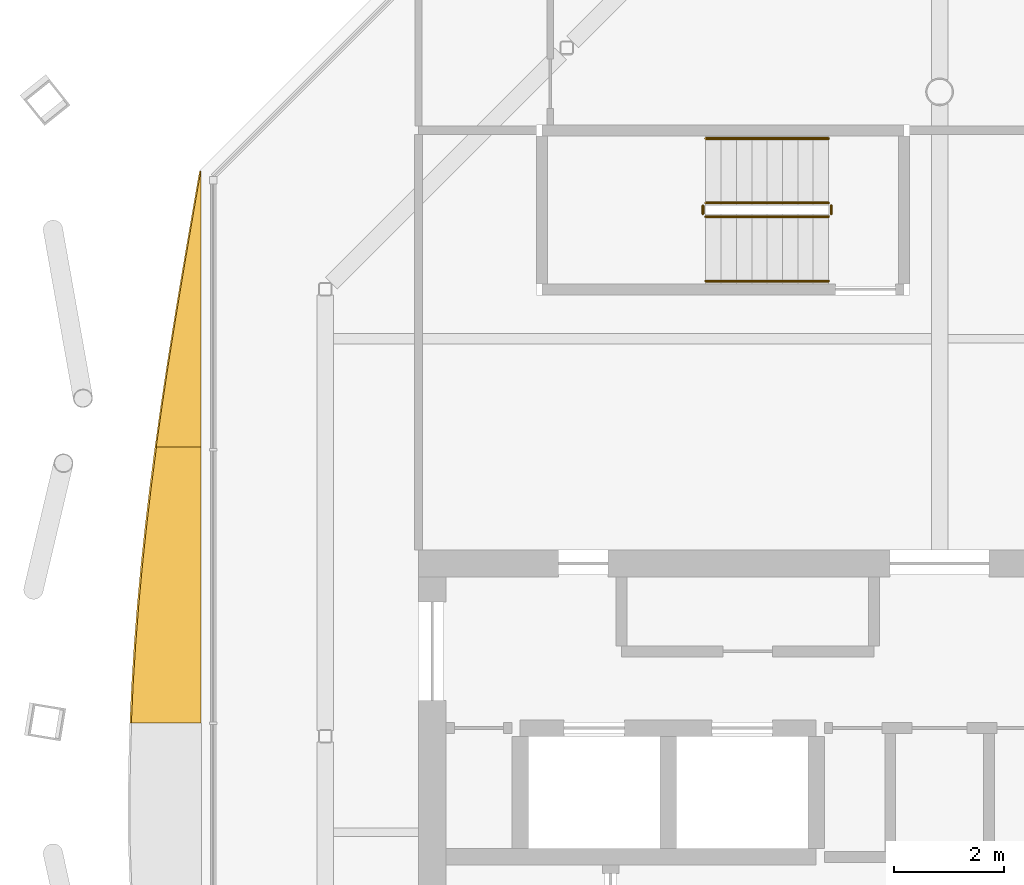
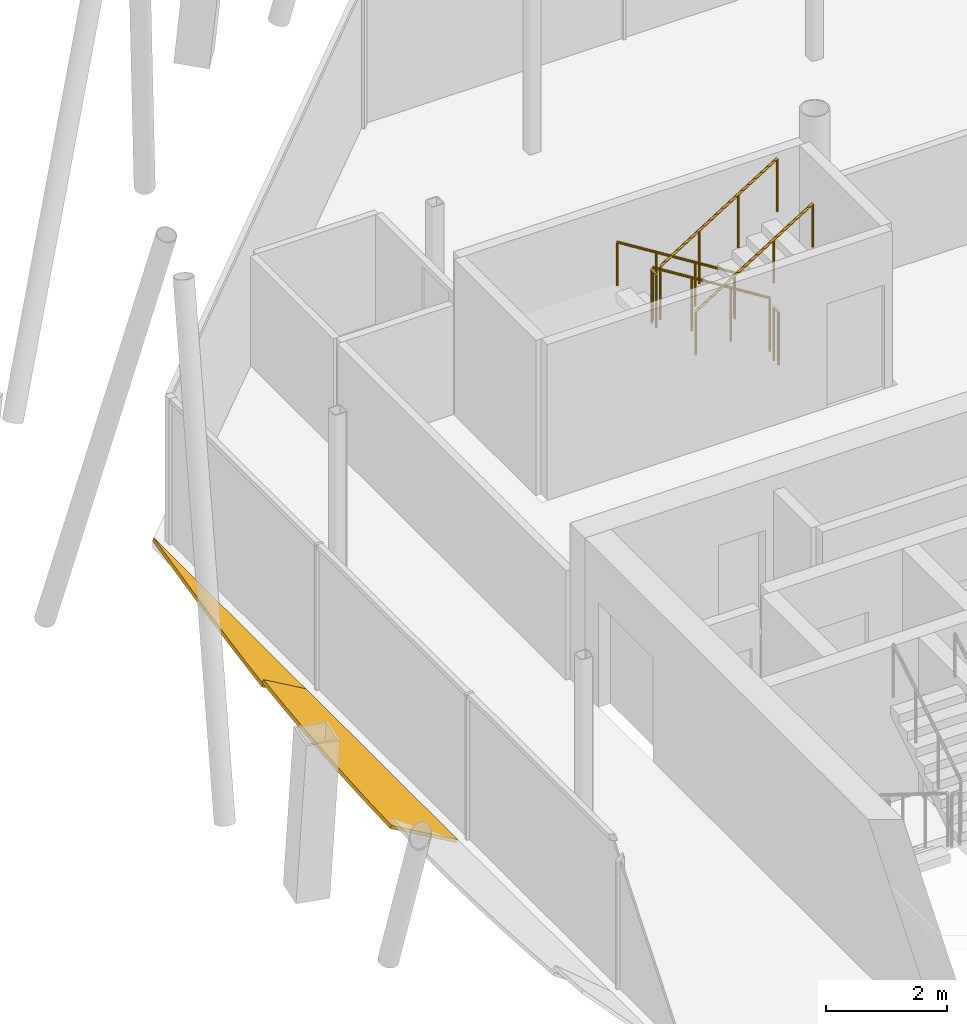
# One storey, part 13 of 14: 6 railings, 2 shading devices.
"""IFC4 building model written with IfcOpenShell, lengths in metres."""

import ifcopenshell
import ifcopenshell.guid

model = None  # the IFC model being written
_history = None  # IfcOwnerHistory: only IFC2X3 demands one
_inside = {}  # id of a spatial element -> (the spatial element, [elements in it])
_under = {}  # id of a project, library or spatial element -> (it, [spatial elements below it])
_declared = {}  # id of a project -> (the project, [libraries it declares])
_typed = {}  # id of a type object -> (the type object, [elements of that type])
_made_of = {}  # id of a material, layer set ... -> (it, [elements and type objects made of it])


def new_model(schema):
    """Start an empty IFC model of exactly this schema.

    Asked for "IFC4X3", IfcOpenShell would pick the latest addendum, in which some entities
    have other attributes; the version numbers below select the first issue.
    IFC2X3 requires an IfcOwnerHistory on every rooted entity: one is made here for all.
    """
    global model, _history
    if schema == "IFC4X3":
        model = ifcopenshell.file(schema_version=(4, 3, 0, 0))
    else:
        model = ifcopenshell.file(schema=schema)
    _inside.clear()
    _under.clear()
    _declared.clear()
    _typed.clear()
    _made_of.clear()
    _history = None
    if model.schema == "IFC2X3":
        org = make("IfcOrganization", Name="unknown")
        user = make(
            "IfcPersonAndOrganization",
            ThePerson=make("IfcPerson", FamilyName="unknown"),
            TheOrganization=org,
        )
        app = make(
            "IfcApplication",
            ApplicationDeveloper=org,
            Version="unknown",
            ApplicationFullName="unknown",
            ApplicationIdentifier="unknown",
        )
        _history = make(
            "IfcOwnerHistory",
            OwningUser=user,
            OwningApplication=app,
            ChangeAction="ADDED",
            CreationDate=0,
        )
    return model


def make(cls, **values):
    """One entity of the class cls with the attributes given. An attribute that is None is left unset."""
    return model.create_entity(
        cls, **{name: value for name, value in values.items() if value is not None}
    )


def rooted(cls, **values):
    """An entity with a GlobalId (a new one), such as an element, a storey or a relation."""
    return make(cls, GlobalId=ifcopenshell.guid.new(), OwnerHistory=_history, **values)


def si_unit(unit_type, name, prefix=None):
    """IfcSIUnit, for example si_unit("LENGTHUNIT", "METRE", prefix="MILLI")."""
    return make("IfcSIUnit", UnitType=unit_type, Prefix=prefix, Name=name)


def assignment(units):
    """IfcUnitAssignment: the units of a project."""
    return None if units is None else make("IfcUnitAssignment", Units=units)


def point(xyz):
    """IfcCartesianPoint."""
    return None if xyz is None else make("IfcCartesianPoint", Coordinates=xyz)


def direction(xyz):
    """IfcDirection."""
    return None if xyz is None else make("IfcDirection", DirectionRatios=xyz)


def frame(location, z_axis=None, x_axis=None):
    """IfcAxis2Placement3D, a coordinate frame: its origin and axes. An axis left out is left unset."""
    return make(
        "IfcAxis2Placement3D",
        Location=point(location),
        Axis=direction(z_axis),
        RefDirection=direction(x_axis),
    )


def frame_2d(location, x_axis=None):
    """IfcAxis2Placement2D, a coordinate frame in the plane: its origin and x axis."""
    return make(
        "IfcAxis2Placement2D", Location=point(location), RefDirection=direction(x_axis)
    )


def origin():
    """The frame at (0, 0, 0) with its axes left unset."""
    return frame((0.0, 0.0, 0.0))


def origin_2d():
    """The frame at (0, 0) in the plane with its x axis left unset."""
    return frame_2d((0.0, 0.0))


def place(relative_to, where):
    """IfcLocalPlacement: puts the frame where relative to a parent placement (None: the world)."""
    return make(
        "IfcLocalPlacement", PlacementRelTo=relative_to, RelativePlacement=where
    )


def context(
    kind, dimensions, precision=None, world=None, true_north=None, identifier=None
):
    """IfcGeometricRepresentationContext, for example the 3D "Model" context."""
    return make(
        "IfcGeometricRepresentationContext",
        ContextIdentifier=identifier,
        ContextType=kind,
        CoordinateSpaceDimension=dimensions,
        Precision=precision,
        WorldCoordinateSystem=world,
        TrueNorth=true_north,
    )


def subcontext(parent, identifier, kind, view, scale=None):
    """IfcGeometricRepresentationSubContext, for example "Body" below "Model"."""
    return make(
        "IfcGeometricRepresentationSubContext",
        ContextIdentifier=identifier,
        ContextType=kind,
        ParentContext=parent,
        TargetScale=scale,
        TargetView=view,
    )


def project(units=None, contexts=None):
    """IfcProject with its units and contexts."""
    return rooted(
        "IfcProject",
        Name="project",
        RepresentationContexts=contexts,
        UnitsInContext=assignment(units),
    )


def spatial(cls, under=None, at=None, **own):
    """A site, building, storey or space (cls), placed at a placement, below another one or the project."""
    s = rooted(cls, ObjectPlacement=at, **own)
    if under is not None:
        _under.setdefault(under.id(), (under, []))[1].append(s)
    return s


def polyline(points):
    """IfcPolyline through the points."""
    return make("IfcPolyline", Points=[point(p) for p in points])


def profile(cls, at=None, kind="AREA", **sizes):
    """A parametric profile (cls). Its sizes go by their IFC names, for example OverallWidth=200.0."""
    return make(cls, ProfileType=kind, Position=at, **sizes)


def circle(**sizes):
    """IfcCircleProfileDef."""
    return profile("IfcCircleProfileDef", **sizes)


def outline(outer, holes=None, kind="AREA"):
    """IfcArbitraryClosedProfileDef: a profile drawn as a closed curve; with holes, ...WithVoids."""
    if holes is None:
        return make("IfcArbitraryClosedProfileDef", ProfileType=kind, OuterCurve=outer)
    return make(
        "IfcArbitraryProfileDefWithVoids",
        ProfileType=kind,
        OuterCurve=outer,
        InnerCurves=holes,
    )


def extrude(swept, where, along, depth):
    """IfcExtrudedAreaSolid: the profile swept, set in the frame where, extruded along a direction by depth."""
    return make(
        "IfcExtrudedAreaSolid",
        SweptArea=swept,
        Position=where,
        ExtrudedDirection=direction(along),
        Depth=depth,
    )


def shape(context_of_items, identifier, shape_type, items):
    """IfcShapeRepresentation: the items that make up one representation, for example the "Body"."""
    return make(
        "IfcShapeRepresentation",
        ContextOfItems=context_of_items,
        RepresentationIdentifier=identifier,
        RepresentationType=shape_type,
        Items=items,
    )


def material(Name=None, Category=None):
    """IfcMaterial."""
    return make("IfcMaterial", Name=Name, Category=Category)


def layer(
    of_material, thickness, ventilated=None, Name=None, Category=None, Priority=None
):
    """IfcMaterialLayer: one layer of a wall or slab, of a material (None: an air gap)."""
    return make(
        "IfcMaterialLayer",
        Material=of_material,
        LayerThickness=thickness,
        IsVentilated=ventilated,
        Name=Name,
        Category=Category,
        Priority=Priority,
    )


def layer_set(layers, Name=None):
    """IfcMaterialLayerSet."""
    return make("IfcMaterialLayerSet", MaterialLayers=layers, LayerSetName=Name)


def made_of(thing, what):
    """Note that an element or type object is made of a material, layer set ...; save() writes the relation."""
    if what is not None:
        _made_of.setdefault(what.id(), (what, []))[1].append(thing)
    return thing


def type_object(cls, material=None, **own):
    """A type object (cls), such as IfcWallType, which elements share."""
    return made_of(rooted(cls, **own), material)


def element(
    cls,
    number,
    at=None,
    inside=None,
    cuts=None,
    type_object=None,
    material=None,
    context=None,
    identifier="Body",
    shape_type=None,
    held_by="IfcProductDefinitionShape",
    body=None,
    shapes=None,
    **own,
):
    """One element of the class cls, such as IfcWall. Its Tag is "e" and its number.

    at: its placement. inside: the storey or other place that contains it. cuts: it is an
    opening in that element (IfcRelVoidsElement). A single representation is given by context,
    identifier, shape_type and body (its items); several are given by shapes. held_by: the class
    of the entity that holds the representations. save() writes the other relations.
    """
    e = rooted(cls, Tag="e%d" % number, ObjectPlacement=at, **own)
    if body is not None:
        shapes = [shape(context, identifier, shape_type, body)]
    if shapes is not None:
        e.Representation = make(held_by, Representations=shapes)
    if inside is not None:
        _inside.setdefault(inside.id(), (inside, []))[1].append(e)
    if cuts is not None:
        rooted(
            "IfcRelVoidsElement", RelatingBuildingElement=cuts, RelatedOpeningElement=e
        )
    if type_object is not None:
        _typed.setdefault(type_object.id(), (type_object, []))[1].append(e)
    return made_of(e, material)


def aggregate(whole, parts):
    """IfcRelAggregates: a whole, such as a stair, and the parts it consists of."""
    return rooted("IfcRelAggregates", RelatingObject=whole, RelatedObjects=parts)


def save(model, path):
    """Write the relations noted so far, then the file.

    IfcRelAggregates (storeys below a building ...), IfcRelContainedInSpatialStructure (elements
    in a storey), IfcRelDefinesByType, IfcRelAssociatesMaterial and IfcRelDeclares: one each for
    every whole, place, type object, material and project.
    """
    for whole, parts in _under.values():
        aggregate(whole, parts)
    for where, things in _inside.values():
        rooted(
            "IfcRelContainedInSpatialStructure",
            RelatedElements=things,
            RelatingStructure=where,
        )
    for kind, things in _typed.values():
        rooted("IfcRelDefinesByType", RelatedObjects=things, RelatingType=kind)
    for what, things in _made_of.values():
        rooted("IfcRelAssociatesMaterial", RelatedObjects=things, RelatingMaterial=what)
    for by, libraries in _declared.values():
        rooted("IfcRelDeclares", RelatingContext=by, RelatedDefinitions=libraries)
    model.write(path)


model = new_model("IFC4")

# Units and contexts
model_context = context("Model", 3, precision=1e-05, world=origin(), true_north=direction((0.0, 1.0)))
body_context = subcontext(model_context, "Body", "Model", "MODEL_VIEW")
ifc_project = project(units=[si_unit("LENGTHUNIT", "METRE"), si_unit("AREAUNIT", "SQUARE_METRE"), si_unit("VOLUMEUNIT", "CUBIC_METRE"), si_unit("PLANEANGLEUNIT", "RADIAN"), si_unit("MASSUNIT", "GRAM", prefix="KILO")], contexts=[model_context])

# Site, building, storey
site_placement = place(None, origin())
site = spatial("IfcSite", under=ifc_project, at=site_placement, CompositionType="ELEMENT")
building_placement = place(site_placement, origin())
building = spatial("IfcBuilding", under=site, at=building_placement, Name="Tskaro Facet Tower", CompositionType="ELEMENT")
storey_placement = place(building_placement, frame((0.0, 0.0, 268.949951171875)))
storey = spatial("IfcBuildingStorey", under=building, at=storey_placement, Name="L71", CompositionType="ELEMENT", Elevation=268.949951171875)

# Shading devices
ifc_material_1 = material(Name="Bronze anodised aluminium 6063-T6", Category="aluminium")
ifc_layer = layer(ifc_material_1, 0.06005859375, Name="Bronze anodised aluminium 6063-T6")
ifc_layer_set = layer_set([ifc_layer], Name="Bronze anodised aluminium 6063-T6")
shading_device_type = type_object("IfcShadingDeviceType", Name="Bronze sun blade (FN1)", PredefinedType="USERDEFINED", material=ifc_layer_set)
shading_device_1_placement = place(storey_placement, frame((-13.470703125, 7.56103515625, 0.054443359375), z_axis=(0.422741893231, -1.8548245e-05, 0.906250126269), x_axis=(-7.84112e-06, -0.999999999828, -1.680935e-05)))
element("IfcShadingDevice", 1, at=shading_device_1_placement, inside=storey, type_object=shading_device_type, Name="Fin blade west 1", ObjectType="FIN", PredefinedType="USERDEFINED", context=body_context, shape_type="SweptSolid", body=[
    extrude(outline(polyline([(0.0, 0.0), (5.036132811633691, 4.265770418935964e-21), (5.036132813376324, -0.8965077732302201), (4.316650389492923, -0.7842230491041708), (3.597167969186773, -0.6648440505884712), (2.877685545889345, -0.5393441605100712), (2.158203125068475, -0.40893284970037475), (1.4389648426949297, -0.2748047534586038), (0.7194824210722918, -0.1379480901438904), (0.0, 0.0)])), origin(), (0.0, 0.0, -1.0), 0.06005859375),
])
shading_device_2_placement = place(storey_placement, frame((-13.466064453125, 2.52490234375, 0.052001953125), z_axis=(0.500031332152, -4.1017e-06, 0.866007313393), x_axis=(-2.050979e-06, -0.999999999992, -3.552102e-06)))
element("IfcShadingDevice", 2, at=shading_device_2_placement, inside=storey, type_object=shading_device_type, Name="Fin blade west 2", ObjectType="FIN", PredefinedType="USERDEFINED", context=body_context, shape_type="SweptSolid", body=[
    extrude(outline(polyline([(0.0, 0.0), (5.035888671832638, 0.0), (5.0358886722784195, -1.467869693685246), (4.316406250185391, -1.4287150249510954), (3.5969238279729203, -1.3763271556070786), (2.877685546900976, -1.3114624463153917), (2.158203124852349, -1.234242975037987), (1.4387207027205218, -1.145758607965761), (0.7192382811404624, -1.0467657057609099), (5.049260576417698e-10, -0.9381427070475821), (0.0, 0.0)])), origin(), (0.0, 0.0, -1.0), 0.06005859375),
])

# Railings
ifc_material_2 = material(Name="Stainless steel", Category="steel")
railing_type_1 = type_object("IfcRailingType", Name="RL-GUARD-1100", PredefinedType="GUARDRAIL", material=ifc_material_2)
railing_1_placement = place(storey_placement, frame((-2.02490234375, 6.97509765625, 0.175048828125)))
element("IfcRailing", 3, at=railing_1_placement, inside=storey, type_object=railing_type_1, Name="L71 ST-3 stair guard 1", PredefinedType="GUARDRAIL", context=body_context, shape_type="SweptSolid", body=[
    extrude(circle(Radius=0.02392578125, at=origin_2d()), frame((0.0, 0.0, 1.076171875), z_axis=(-0.848013881152, 0.0, 0.529974015752), x_axis=(0.0, -1.0, 0.0)), (0.0, 0.0, 1.0), 2.641357421875),
    extrude(circle(Radius=0.02099609375, at=origin_2d()), origin(), (0.0, 0.0, 1.0), 1.052001953125),
    extrude(circle(Radius=0.02099609375, at=origin_2d()), frame((-0.74658203125, 0.0, 0.466552734375)), (0.0, 0.0, 1.0), 1.052001953125),
    extrude(circle(Radius=0.02099609375, at=origin_2d()), frame((-1.493408203125, 0.0, 0.933349609375)), (0.0, 0.0, 1.0), 1.052001953125),
    extrude(circle(Radius=0.02099609375, at=origin_2d()), frame((-2.239990234375, 0.0, 1.39990234375)), (0.0, 0.0, 1.0), 1.052001953125),
])
railing_2_placement = place(storey_placement, frame((-4.31494140625, 6.925048828125, 1.574951171875)))
element("IfcRailing", 4, at=railing_2_placement, inside=storey, type_object=railing_type_1, Name="L71 ST-3 stair guard 2", PredefinedType="GUARDRAIL", context=body_context, shape_type="SweptSolid", body=[
    extrude(circle(Radius=0.02392578125, at=origin_2d()), frame((0.0, 0.0, 1.076171875), z_axis=(0.0, -1.0, 0.0), x_axis=(1.0, 0.0, 0.0)), (0.0, 0.0, 1.0), 0.150146484375),
    extrude(circle(Radius=0.02099609375, at=origin_2d()), origin(), (0.0, 0.0, 1.0), 1.052001953125),
    extrude(circle(Radius=0.02099609375, at=origin_2d()), frame((0.0, -0.150146484375, 0.0)), (0.0, 0.0, 1.0), 1.052001953125),
])
railing_3_placement = place(storey_placement, frame((-4.264892578125, 6.72509765625, 1.75)))
element("IfcRailing", 5, at=railing_3_placement, inside=storey, type_object=railing_type_1, Name="L71 ST-3 stair guard 3", PredefinedType="GUARDRAIL", context=body_context, shape_type="SweptSolid", body=[
    extrude(circle(Radius=0.02392578125, at=origin_2d()), frame((0.0, 0.0, 1.076171875), z_axis=(0.847972341737, 0.0, 0.530040477369), x_axis=(0.0, 1.0, 0.0)), (0.0, 0.0, 1.0), 2.6416015625),
    extrude(circle(Radius=0.02099609375, at=origin_2d()), origin(), (0.0, 0.0, 1.0), 1.052001953125),
    extrude(circle(Radius=0.02099609375, at=origin_2d()), frame((0.74658203125, 0.0, 0.466796875)), (0.0, 0.0, 1.0), 1.052001953125),
    extrude(circle(Radius=0.02099609375, at=origin_2d()), frame((1.493408203125, 0.0, 0.933349609375)), (0.0, 0.0, 1.0), 1.052001953125),
    extrude(circle(Radius=0.02099609375, at=origin_2d()), frame((2.239990234375, 0.0, 1.400146484375)), (0.0, 0.0, 1.0), 1.052001953125),
])
railing_4_placement = place(storey_placement, frame((-1.97509765625, 6.925048828125, 0.0)))
element("IfcRailing", 6, at=railing_4_placement, inside=storey, type_object=railing_type_1, Name="L71 ST-3 stair guard 4", PredefinedType="GUARDRAIL", context=body_context, shape_type="SweptSolid", body=[
    extrude(circle(Radius=0.02392578125, at=origin_2d()), frame((0.0, 0.0, 1.076171875), z_axis=(0.0, -1.0, 0.0), x_axis=(1.0, 0.0, 0.0)), (0.0, 0.0, 1.0), 0.150146484375),
    extrude(circle(Radius=0.02099609375, at=origin_2d()), origin(), (0.0, 0.0, 1.0), 1.052001953125),
    extrude(circle(Radius=0.02099609375, at=origin_2d()), frame((0.0, -0.150146484375, 0.0)), (0.0, 0.0, 1.0), 1.052001953125),
])
railing_type_2 = type_object("IfcRailingType", Name="RL-HANDRAIL-900", PredefinedType="HANDRAIL", material=ifc_material_2)
railing_5_placement = place(storey_placement, frame((-2.02490234375, 8.14990234375, 0.175048828125)))
element("IfcRailing", 7, at=railing_5_placement, inside=storey, type_object=railing_type_2, Name="L71 ST-3 stair handrail 1", PredefinedType="HANDRAIL", context=body_context, shape_type="SweptSolid", body=[
    extrude(circle(Radius=0.02392578125, at=origin_2d()), frame((0.0, 0.0, 0.8759765625), z_axis=(-0.848013881152, 0.0, 0.529974015752), x_axis=(0.0, -1.0, 0.0)), (0.0, 0.0, 1.0), 2.641357421875),
    extrude(circle(Radius=0.02099609375, at=origin_2d()), origin(), (0.0, 0.0, 1.0), 0.851806640625),
    extrude(circle(Radius=0.02099609375, at=origin_2d()), frame((-0.74658203125, 0.0, 0.466552734375)), (0.0, 0.0, 1.0), 0.851806640625),
    extrude(circle(Radius=0.02099609375, at=origin_2d()), frame((-1.493408203125, 0.0, 0.933349609375)), (0.0, 0.0, 1.0), 0.851806640625),
    extrude(circle(Radius=0.02099609375, at=origin_2d()), frame((-2.239990234375, 0.0, 1.39990234375)), (0.0, 0.0, 1.0), 0.851806640625),
])
railing_6_placement = place(storey_placement, frame((-4.264892578125, 5.550048828125, 1.75)))
element("IfcRailing", 8, at=railing_6_placement, inside=storey, type_object=railing_type_2, Name="L71 ST-3 stair handrail 2", PredefinedType="HANDRAIL", context=body_context, shape_type="SweptSolid", body=[
    extrude(circle(Radius=0.02392578125, at=origin_2d()), frame((0.0, 0.0, 0.8759765625), z_axis=(0.847972341737, 0.0, 0.530040477369), x_axis=(0.0, 1.0, 0.0)), (0.0, 0.0, 1.0), 2.6416015625),
    extrude(circle(Radius=0.02099609375, at=origin_2d()), origin(), (0.0, 0.0, 1.0), 0.851806640625),
    extrude(circle(Radius=0.02099609375, at=origin_2d()), frame((0.74658203125, 0.0, 0.466796875)), (0.0, 0.0, 1.0), 0.851806640625),
    extrude(circle(Radius=0.02099609375, at=origin_2d()), frame((1.493408203125, 0.0, 0.933349609375)), (0.0, 0.0, 1.0), 0.851806640625),
    extrude(circle(Radius=0.02099609375, at=origin_2d()), frame((2.239990234375, 0.0, 1.400146484375)), (0.0, 0.0, 1.0), 0.851806640625),
])

save(model, "model.ifc")
